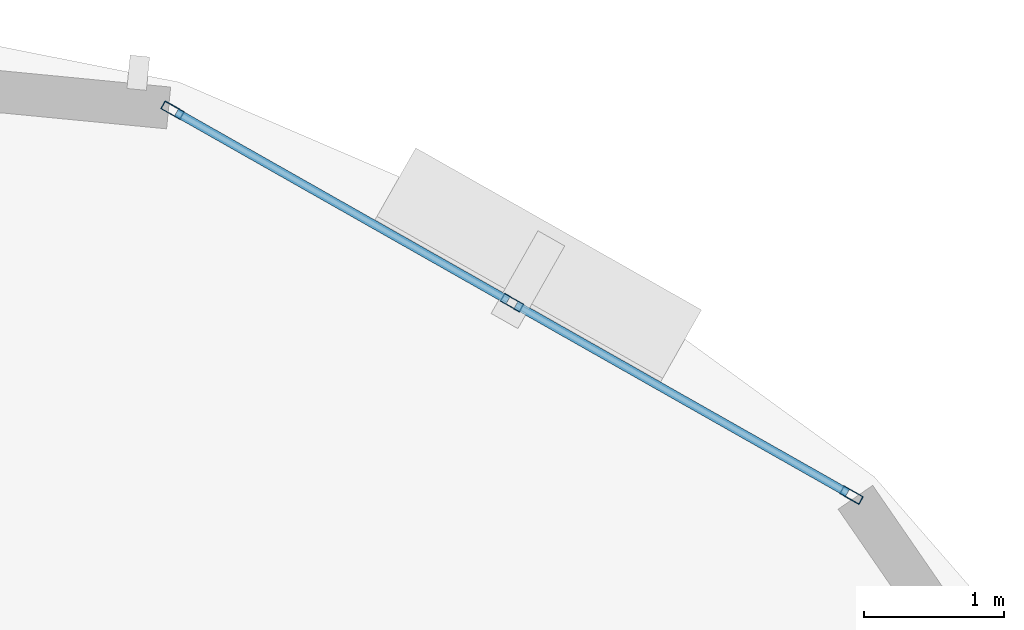
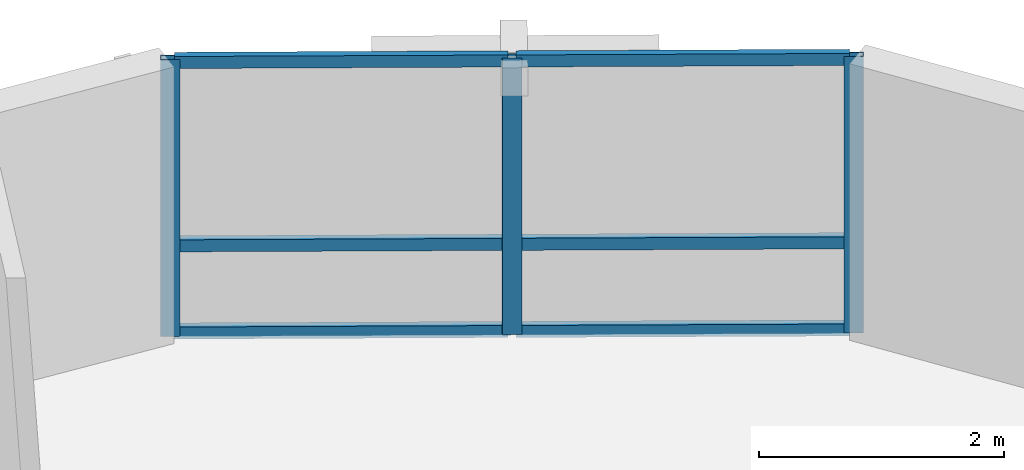
# One storey, part 6 of 12: 9 members, 1 element without a shape of its own.
"""IFC4 building model written with IfcOpenShell, lengths in metres."""

from ifc_helpers import new_model, si_unit, direction, frame, origin, origin_2d, place, context, subcontext, project, spatial, hollow_rectangle, extrude, material, layer, layer_set, material_profile, profile_set, type_object, element, aggregate, save


model = new_model("IFC4")

# Units and contexts
model_context = context("Model", 3, precision=1e-05, world=origin(), true_north=direction((0.0, 1.0)))
body_context = subcontext(model_context, "Body", "Model", "MODEL_VIEW")
ifc_project = project(units=[si_unit("LENGTHUNIT", "METRE"), si_unit("AREAUNIT", "SQUARE_METRE"), si_unit("VOLUMEUNIT", "CUBIC_METRE"), si_unit("PLANEANGLEUNIT", "RADIAN"), si_unit("MASSUNIT", "GRAM", prefix="KILO"), si_unit("THERMODYNAMICTEMPERATUREUNIT", "KELVIN"), si_unit("POWERUNIT", "WATT")], contexts=[model_context])

# Site, building, storey
site_placement = place(None, origin())
site = spatial("IfcSite", under=ifc_project, at=site_placement, CompositionType="ELEMENT")
building_placement = place(site_placement, origin())
building = spatial("IfcBuilding", under=site, at=building_placement, Name="Ocrelia Relay Tower", CompositionType="ELEMENT")
storey_placement = place(building_placement, frame((0.0, 0.0, 230.39990234375)))
storey = spatial("IfcBuildingStorey", under=building, at=storey_placement, Name="L56", CompositionType="ELEMENT", Elevation=230.39990234375)

# Curtain wall, members
ifc_material_1 = material(Name="Aluminium and solar-control low-E glass", Category="aluminium")
ifc_layer = layer(ifc_material_1, 0.179931640625, Name="Aluminium and solar-control low-E glass")
ifc_layer_set = layer_set([ifc_layer], Name="Aluminium and solar-control low-E glass")
curtain_wall_type = type_object("IfcCurtainWallType", Name="CW-SYS-Z4-EXEC", PredefinedType="NOTDEFINED", material=ifc_layer_set)
curtain_wall_placement = place(storey_placement, origin())
curtain_wall = element("IfcCurtainWall", 1, at=curtain_wall_placement, inside=storey, type_object=curtain_wall_type, Name="L56 Elliptical Tower Curtain Wall Bay 01", PredefinedType="NOTDEFINED")
ifc_material_2 = material(Name="Anodised bronze aluminium", Category="aluminium")
ifc_material_profile_1 = material_profile(ifc_material_2, hollow_rectangle(XDim=0.06494140625, YDim=0.159912109375, WallThickness=0.0048828125, at=origin_2d()), Name="CW-MUL-160x65")
ifc_profile_set_1 = profile_set([ifc_material_profile_1], Name="Anodised bronze aluminium")
member_type_1 = type_object("IfcMemberType", Name="CW-SYS-Z4-EXEC-MUL", PredefinedType="MULLION", material=ifc_profile_set_1)
member_1_placement = place(storey_placement, frame((48.1591796875, 41.498779296875, 0.0), z_axis=(0.0, 0.0, 1.0), x_axis=(-0.493147424972, -0.869945755345, 0.0)))
member_1 = element("IfcMember", 2, at=member_1_placement, type_object=member_type_1, Name="CW-Z4 mullion 1", PredefinedType="MULLION", context=body_context, shape_type="SweptSolid", body=[
    extrude(hollow_rectangle(XDim=0.06494140625, YDim=0.159912109375, WallThickness=0.0048828125, at=origin_2d()), origin(), (0.0, 0.0, 1.0), 2.760009765625),
])
member_2_placement = place(storey_placement, frame((45.729736328125, 42.8759765625, 0.0), z_axis=(0.0, 0.0, 1.0), x_axis=(-0.493147424972, -0.869945755345, 0.0)))
member_2 = element("IfcMember", 3, at=member_2_placement, type_object=member_type_1, Name="CW-Z4 mullion 2", PredefinedType="MULLION", context=body_context, shape_type="SweptSolid", body=[
    extrude(hollow_rectangle(XDim=0.06494140625, YDim=0.159912109375, WallThickness=0.0048828125, at=origin_2d()), origin(), (0.0, 0.0, 1.0), 2.760009765625),
])
member_3_placement = place(storey_placement, frame((43.30029296875, 44.253173828125, 0.0), z_axis=(0.0, 0.0, 1.0), x_axis=(-0.493147424972, -0.869945755345, 0.0)))
member_3 = element("IfcMember", 4, at=member_3_placement, type_object=member_type_1, Name="CW-Z4 mullion 3", PredefinedType="MULLION", context=body_context, shape_type="SweptSolid", body=[
    extrude(hollow_rectangle(XDim=0.06494140625, YDim=0.159912109375, WallThickness=0.0048828125, at=origin_2d()), origin(), (0.0, 0.0, 1.0), 2.760009765625),
])
ifc_material_profile_2 = material_profile(ifc_material_2, hollow_rectangle(XDim=0.06005859375, YDim=0.1201171875, WallThickness=0.0048828125, at=origin_2d()), Name="CW-TRN-120x60")
ifc_profile_set_2 = profile_set([ifc_material_profile_2], Name="Anodised bronze aluminium")
member_type_2 = type_object("IfcMemberType", Name="CW-SYS-Z4-EXEC-TRN", PredefinedType="USERDEFINED", material=ifc_profile_set_2)
member_4_placement = place(storey_placement, frame((48.130859375, 41.514892578125, 0.030029296875), z_axis=(-0.869962028264, 0.493118717328, 0.0), x_axis=(-0.493118717328, -0.869962028264, 0.0)))
member_4 = element("IfcMember", 5, at=member_4_placement, type_object=member_type_2, Name="CW-Z4 transom 1.1", ObjectType="TRANSOM", PredefinedType="USERDEFINED", context=body_context, shape_type="SweptSolid", body=[
    extrude(hollow_rectangle(XDim=0.06005859375, YDim=0.1201171875, WallThickness=0.0048828125, at=origin_2d()), origin(), (0.0, 0.0, 1.0), 2.7275390625),
])
member_5_placement = place(storey_placement, frame((48.130859375, 41.514892578125, 0.900146484375), z_axis=(-0.869962028264, 0.493118717328, 0.0), x_axis=(-0.493118717328, -0.869962028264, 0.0)))
member_5 = element("IfcMember", 6, at=member_5_placement, type_object=member_type_2, Name="CW-Z4 transom 1.2", ObjectType="TRANSOM", PredefinedType="USERDEFINED", context=body_context, shape_type="SweptSolid", body=[
    extrude(hollow_rectangle(XDim=0.06005859375, YDim=0.1201171875, WallThickness=0.0048828125, at=origin_2d()), origin(), (0.0, 0.0, 1.0), 2.7275390625),
])
member_6_placement = place(storey_placement, frame((48.130859375, 41.514892578125, 2.72998046875), z_axis=(-0.869962028264, 0.493118717328, 0.0), x_axis=(-0.493118717328, -0.869962028264, 0.0)))
member_6 = element("IfcMember", 7, at=member_6_placement, type_object=member_type_2, Name="CW-Z4 transom 1.3", ObjectType="TRANSOM", PredefinedType="USERDEFINED", context=body_context, shape_type="SweptSolid", body=[
    extrude(hollow_rectangle(XDim=0.06005859375, YDim=0.1201171875, WallThickness=0.0048828125, at=origin_2d()), origin(), (0.0, 0.0, 1.0), 2.7275390625),
])
member_7_placement = place(storey_placement, frame((45.701416015625, 42.89208984375, 0.030029296875), z_axis=(-0.869962028264, 0.493118717328, 0.0), x_axis=(-0.493118717328, -0.869962028264, 0.0)))
member_7 = element("IfcMember", 8, at=member_7_placement, type_object=member_type_2, Name="CW-Z4 transom 2.1", ObjectType="TRANSOM", PredefinedType="USERDEFINED", context=body_context, shape_type="SweptSolid", body=[
    extrude(hollow_rectangle(XDim=0.06005859375, YDim=0.1201171875, WallThickness=0.0048828125, at=origin_2d()), origin(), (0.0, 0.0, 1.0), 2.7275390625),
])
member_8_placement = place(storey_placement, frame((45.701416015625, 42.89208984375, 0.900146484375), z_axis=(-0.869962028264, 0.493118717328, 0.0), x_axis=(-0.493118717328, -0.869962028264, 0.0)))
member_8 = element("IfcMember", 9, at=member_8_placement, type_object=member_type_2, Name="CW-Z4 transom 2.2", ObjectType="TRANSOM", PredefinedType="USERDEFINED", context=body_context, shape_type="SweptSolid", body=[
    extrude(hollow_rectangle(XDim=0.06005859375, YDim=0.1201171875, WallThickness=0.0048828125, at=origin_2d()), origin(), (0.0, 0.0, 1.0), 2.7275390625),
])
member_9_placement = place(storey_placement, frame((45.701416015625, 42.89208984375, 2.72998046875), z_axis=(-0.869962028264, 0.493118717328, 0.0), x_axis=(-0.493118717328, -0.869962028264, 0.0)))
member_9 = element("IfcMember", 10, at=member_9_placement, type_object=member_type_2, Name="CW-Z4 transom 2.3", ObjectType="TRANSOM", PredefinedType="USERDEFINED", context=body_context, shape_type="SweptSolid", body=[
    extrude(hollow_rectangle(XDim=0.06005859375, YDim=0.1201171875, WallThickness=0.0048828125, at=origin_2d()), origin(), (0.0, 0.0, 1.0), 2.7275390625),
])
aggregate(curtain_wall, [member_1, member_2, member_3, member_4, member_5, member_6, member_7, member_8, member_9])

save(model, "model.ifc")
